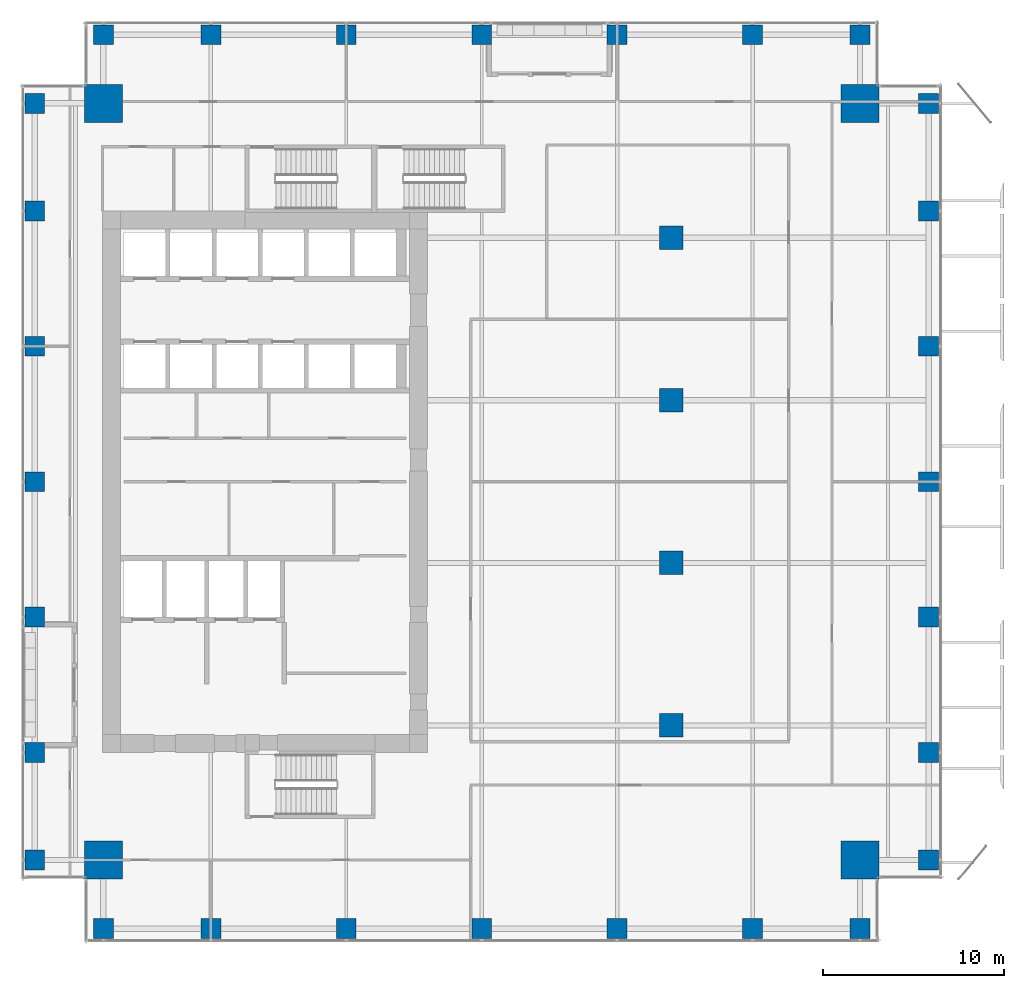
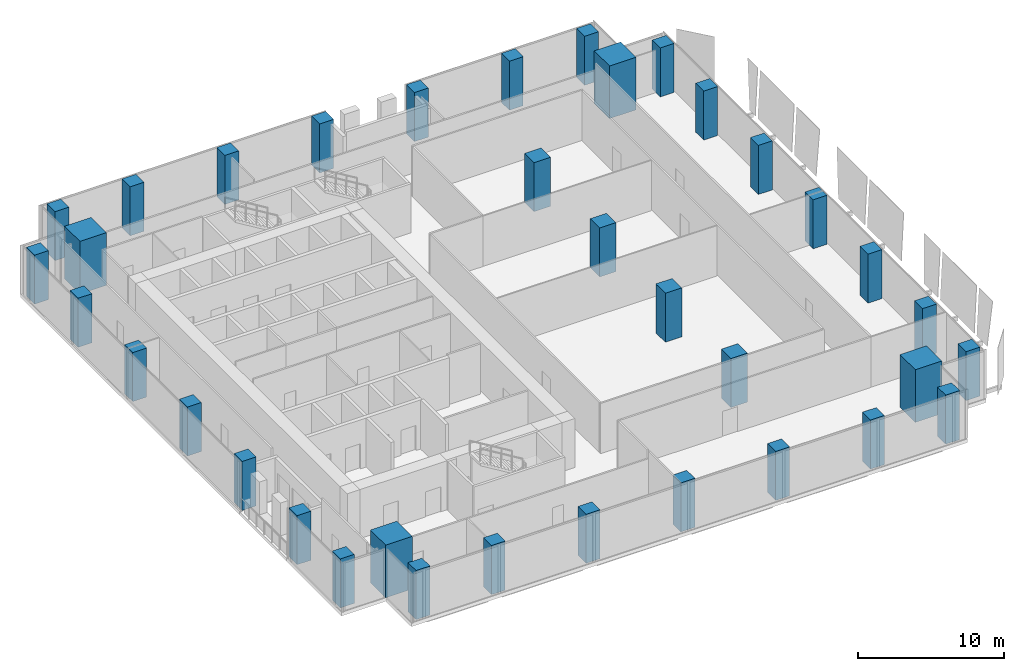
# One storey, part 1 of 33: 36 columns.
"""IFC4 building model written with IfcOpenShell, lengths in metres."""

from ifc_helpers import new_model, si_unit, direction, frame, origin, origin_2d, place, context, subcontext, project, spatial, rectangle, extrude, source, transform, mapped, material, material_profile, profile_set, type_object, element, save


model = new_model("IFC4")

# Units and contexts
model_context = context("Model", 3, precision=1e-05, world=origin(), true_north=direction((0.0, 1.0)))
body_context = subcontext(model_context, "Body", "Model", "MODEL_VIEW")
ifc_project = project(units=[si_unit("LENGTHUNIT", "METRE"), si_unit("AREAUNIT", "SQUARE_METRE"), si_unit("VOLUMEUNIT", "CUBIC_METRE"), si_unit("PLANEANGLEUNIT", "RADIAN"), si_unit("MASSUNIT", "GRAM", prefix="KILO")], contexts=[model_context])

# Site, building, storey
site_placement = place(None, origin())
site = spatial("IfcSite", under=ifc_project, at=site_placement, CompositionType="ELEMENT")
building_placement = place(site_placement, origin())
building = spatial("IfcBuilding", under=site, at=building_placement, Name="Khomas Fold Tower", CompositionType="ELEMENT")
storey_placement = place(building_placement, frame((0.0, 0.0, 149.89990234375)))
storey = spatial("IfcBuildingStorey", under=building, at=storey_placement, Name="L32", CompositionType="ELEMENT", Elevation=149.89990234375)

# Columns
ifc_material_1 = material(Name="Concrete C50/60", Category="concrete")
ifc_material_profile_1 = material_profile(ifc_material_1, rectangle(XDim=1.10009765625, YDim=1.10009765625, at=origin_2d()), Name="RC 1100x1100")
ifc_profile_set_1 = profile_set([ifc_material_profile_1], Name="Concrete C50/60")
column_type_1 = type_object("IfcColumnType", Name="RC 1100x1100 column", PredefinedType="COLUMN", material=ifc_profile_set_1)
shared_shape_1 = source(origin(), body_context, "Body", "SweptSolid", [
    extrude(rectangle(XDim=1.10009765625, YDim=1.10009765625, at=origin_2d()), origin(), (0.0, 0.0, 1.0), 4.10009765625),
])
for number, where, z_axis, x_axis, name in (
    (1, (6.050048828125, 2.25, 0.0), (0.0, 0.0, 1.0), (1.0, 0.0, 0.0), "C-3-SF2"),
    (2, (12.0, 2.25, 0.0), (0.0, 0.0, 1.0), (1.0, 0.0, 0.0), "C-6-SF2"),
    (3, (19.5, 2.25, 0.0), (0.0, 0.0, 1.0), (1.0, 0.0, 0.0), "C-8-SF2"),
    (4, (27.0, 2.25, 0.0), (0.0, 0.0, 1.0), (1.0, 0.0, 0.0), "C-9-SF2"),
    (5, (34.5, 2.25, 0.0), (0.0, 0.0, 1.0), (1.0, 0.0, 0.0), "C-10-SF2"),
    (6, (42.0, 2.25, 0.0), (0.0, 0.0, 1.0), (1.0, 0.0, 0.0), "C-13-SF2"),
    (7, (47.949951171875, 2.25, 0.0), (0.0, 0.0, 1.0), (1.0, 0.0, 0.0), "C-16-SF2"),
    (8, (51.75, 6.050048828125, 0.0), (0.0, 0.0, 1.0), (1.0, 0.0, 0.0), "C-E2-C"),
    (9, (51.75, 12.0, 0.0), (0.0, 0.0, 1.0), (1.0, 0.0, 0.0), "C-E2-F"),
    (10, (51.75, 19.5, 0.0), (0.0, 0.0, 1.0), (1.0, 0.0, 0.0), "C-E2-J"),
    (11, (51.75, 27.0, 0.0), (0.0, 0.0, 1.0), (1.0, 0.0, 0.0), "C-E2-L"),
    (12, (51.75, 34.5, 0.0), (0.0, 0.0, 1.0), (1.0, 0.0, 0.0), "C-E2-N"),
    (13, (51.75, 42.0, 0.0), (0.0, 0.0, 1.0), (1.0, 0.0, 0.0), "C-E2-R"),
    (14, (51.75, 47.949951171875, 0.0), (0.0, 0.0, 1.0), (1.0, 0.0, 0.0), "C-E2-U"),
    (15, (6.050048828125, 51.75, 0.0), (0.0, 0.0, 1.0), (1.0, 0.0, 0.0), "C-3-NF2"),
    (16, (12.0, 51.75, 0.0), (0.0, 0.0, 1.0), (1.0, 0.0, 0.0), "C-6-NF2"),
    (17, (19.5, 51.75, 0.0), (0.0, 0.0, 1.0), (1.0, 0.0, 0.0), "C-8-NF2"),
    (18, (27.0, 51.75, 0.0), (0.0, 0.0, 1.0), (1.0, 0.0, 0.0), "C-9-NF2"),
    (19, (34.5, 51.75, 0.0), (0.0, 0.0, 1.0), (1.0, 0.0, 0.0), "C-10-NF2"),
    (20, (42.0, 51.75, 0.0), (0.0, 0.0, 1.0), (1.0, 0.0, 0.0), "C-13-NF2"),
    (21, (47.949951171875, 51.75, 0.0), (0.0, 0.0, 1.0), (1.0, 0.0, 0.0), "C-16-NF2"),
    (22, (2.25, 6.050048828125, 0.0), (0.0, 0.0, 1.0), (1.0, 0.0, 0.0), "C-W2-C"),
    (23, (2.25, 12.0, 0.0), (0.0, 0.0, 1.0), (1.0, 0.0, 0.0), "C-W2-F"),
    (24, (2.25, 19.5, 0.0), (0.0, 0.0, 1.0), (1.0, 0.0, 0.0), "C-W2-J"),
    (25, (2.25, 27.0, 0.0), (0.0, 0.0, 1.0), (1.0, 0.0, 0.0), "C-W2-L"),
    (26, (2.25, 34.5, 0.0), (0.0, 0.0, 1.0), (1.0, 0.0, 0.0), "C-W2-N"),
    (27, (2.25, 42.0, 0.0), (0.0, 0.0, 1.0), (1.0, 0.0, 0.0), "C-W2-R"),
    (28, (2.25, 47.949951171875, 0.0), (0.0, 0.0, 1.0), (1.0, 0.0, 0.0), "C-W2-U"),
):
    element("IfcColumn", number, at=place(storey_placement, frame(where, z_axis=z_axis, x_axis=x_axis)), inside=storey, type_object=column_type_1, Name=name, PredefinedType="COLUMN", context=body_context, shape_type="MappedRepresentation", body=[
        mapped(shared_shape_1, transform((0.0, 0.0, 0.0))),
    ])
ifc_material_2 = material(Name="Concrete C60/75", Category="concrete")
ifc_material_profile_2 = material_profile(ifc_material_2, rectangle(XDim=1.300048828125, YDim=1.300048828125, at=origin_2d()), Name="RC 1300x1300")
ifc_profile_set_2 = profile_set([ifc_material_profile_2], Name="Concrete C60/75")
column_type_2 = type_object("IfcColumnType", Name="RC 1300x1300 column", PredefinedType="COLUMN", material=ifc_profile_set_2)
shared_shape_2 = source(origin(), body_context, "Body", "SweptSolid", [
    extrude(rectangle(XDim=1.300048828125, YDim=1.300048828125, at=origin_2d()), origin(), (0.0, 0.0, 1.0), 4.10009765625),
])
for number, where, z_axis, x_axis, name in (
    (29, (37.5, 13.5, 0.0), (0.0, 0.0, 1.0), (1.0, 0.0, 0.0), "C-11-H"),
    (30, (37.5, 22.5, 0.0), (0.0, 0.0, 1.0), (1.0, 0.0, 0.0), "C-11-K"),
    (31, (37.5, 31.5, 0.0), (0.0, 0.0, 1.0), (1.0, 0.0, 0.0), "C-11-M"),
    (32, (37.5, 40.5, 0.0), (0.0, 0.0, 1.0), (1.0, 0.0, 0.0), "C-11-P"),
):
    element("IfcColumn", number, at=place(storey_placement, frame(where, z_axis=z_axis, x_axis=x_axis)), inside=storey, type_object=column_type_2, Name=name, PredefinedType="COLUMN", context=body_context, shape_type="MappedRepresentation", body=[
        mapped(shared_shape_2, transform((0.0, 0.0, 0.0))),
    ])
ifc_material_3 = material(Name="Concrete C70/85", Category="concrete")
ifc_material_profile_3 = material_profile(ifc_material_3, rectangle(XDim=2.10009765625, YDim=2.10009765625, at=origin_2d()), Name="RC 2100x2100")
ifc_profile_set_3 = profile_set([ifc_material_profile_3], Name="Concrete C70/85")
column_type_3 = type_object("IfcColumnType", Name="RC 2100x2100 column", PredefinedType="COLUMN", material=ifc_profile_set_3)
shared_shape_3 = source(origin(), body_context, "Body", "SweptSolid", [
    extrude(rectangle(XDim=2.10009765625, YDim=2.10009765625, at=origin_2d()), origin(), (0.0, 0.0, 1.0), 4.400146484375),
])
for number, where, z_axis, x_axis, name in (
    (33, (47.949951171875, 47.949951171875, 0.0), (0.0, 0.0, 1.0), (1.0, 0.0, 0.0), "CM-NE"),
    (34, (6.050048828125, 47.949951171875, 0.0), (0.0, 0.0, 1.0), (1.0, 0.0, 0.0), "CM-NW"),
    (35, (47.949951171875, 6.050048828125, 0.0), (0.0, 0.0, 1.0), (1.0, 0.0, 0.0), "CM-SE"),
    (36, (6.050048828125, 6.050048828125, 0.0), (0.0, 0.0, 1.0), (1.0, 0.0, 0.0), "CM-SW"),
):
    element("IfcColumn", number, at=place(storey_placement, frame(where, z_axis=z_axis, x_axis=x_axis)), inside=storey, type_object=column_type_3, Name=name, PredefinedType="COLUMN", context=body_context, shape_type="MappedRepresentation", body=[
        mapped(shared_shape_3, transform((0.0, 0.0, 0.0))),
    ])

save(model, "model.ifc")
